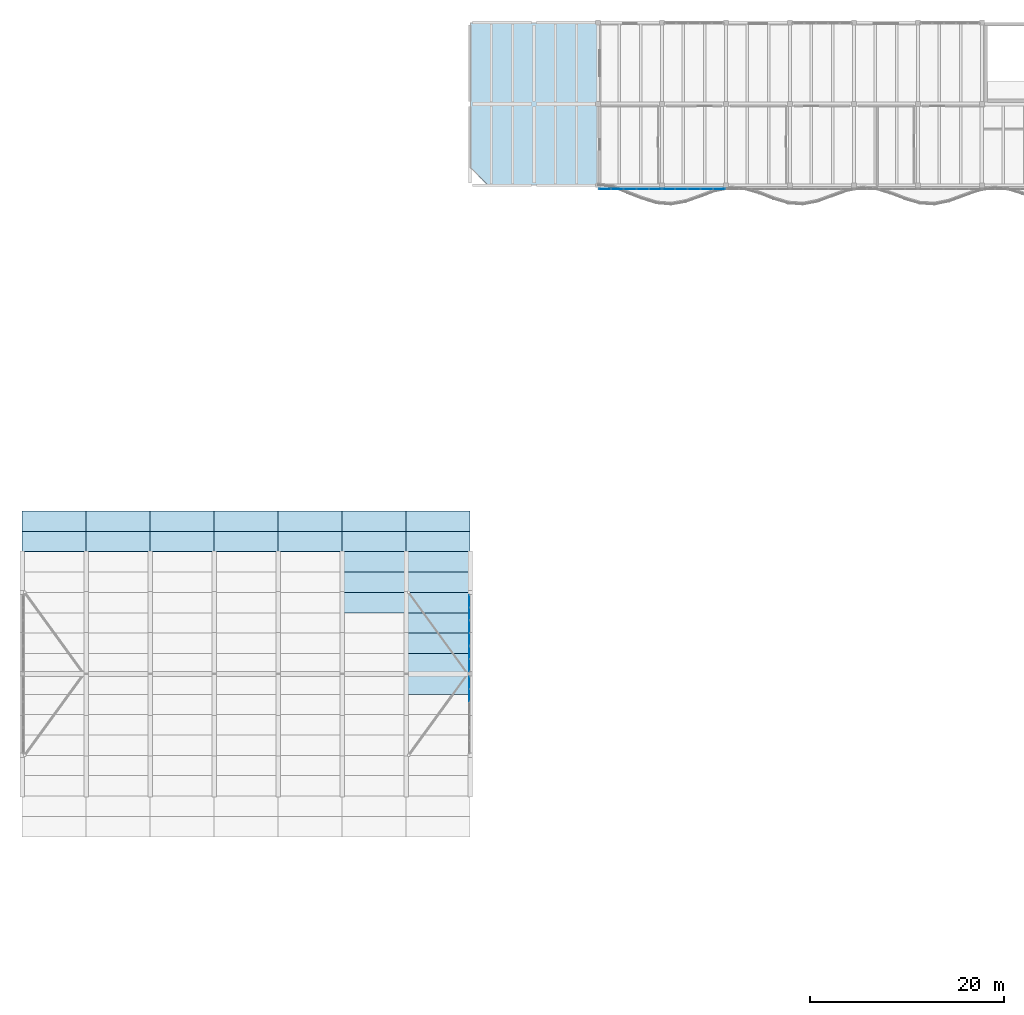
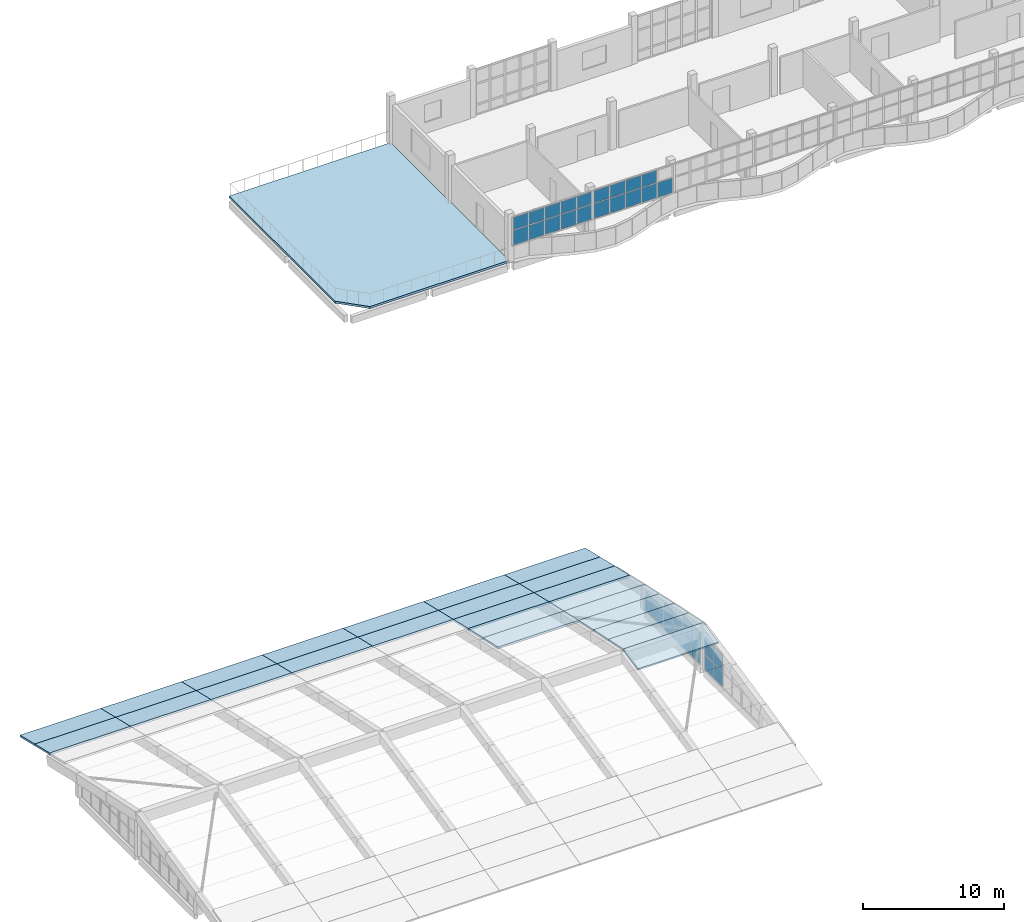
# One storey, part 27 of 47: 35 plates, 25 slabs, 6 elements without a shape of their own.
"""IFC4 building model written with IfcOpenShell, lengths in metres."""

from ifc_helpers import new_model, si_unit, direction, frame, origin, origin_2d, place, context, subcontext, project, spatial, polyline, rectangle, outline, extrude, material, layer, layer_set, type_object, element, aggregate, save


model = new_model("IFC4")

# Units and contexts
model_context = context("Model", 3, precision=1e-05, world=origin(), true_north=direction((0.0, 1.0)))
body_context = subcontext(model_context, "Body", "Model", "MODEL_VIEW")
ifc_project = project(units=[si_unit("LENGTHUNIT", "METRE"), si_unit("AREAUNIT", "SQUARE_METRE"), si_unit("VOLUMEUNIT", "CUBIC_METRE"), si_unit("PLANEANGLEUNIT", "RADIAN"), si_unit("MASSUNIT", "GRAM", prefix="KILO")], contexts=[model_context])

# Site, building, storey
site_placement = place(None, origin())
site = spatial("IfcSite", under=ifc_project, at=site_placement, CompositionType="ELEMENT")
building_placement = place(site_placement, origin())
building = spatial("IfcBuilding", under=site, at=building_placement, Name="Qaldarim Faculty of Natural and Applied Sciences", CompositionType="ELEMENT")
storey_placement = place(building_placement, frame((0.0, 0.0, 22.800048828125)))
storey = spatial("IfcBuildingStorey", under=building, at=storey_placement, Name="L05", CompositionType="ELEMENT", Elevation=22.800048828125)

# Curtain wall, plates
ifc_material_1 = material(Name="Anodised aluminium AW-6063", Category="aluminium")
curtain_wall_type_1 = type_object("IfcCurtainWallType", Name="CurtainWallSystem-M1500", PredefinedType="USERDEFINED", material=ifc_material_1)
curtain_wall_1_placement = place(storey_placement, origin())
curtain_wall_1 = element("IfcCurtainWall", 1, at=curtain_wall_1_placement, inside=storey, type_object=curtain_wall_type_1, Name="Curtain wall CW-GABLE-L05-E-Y06-3", ObjectType="STICK CURTAIN WALL", PredefinedType="USERDEFINED")
ifc_material_2 = material(Name="Champagne anodised aluminium AW-6063", Category="aluminium")
ifc_layer_1 = layer(ifc_material_2, 0.0400390625)
ifc_layer_set_1 = layer_set([ifc_layer_1], Name="Champagne anodised aluminium AW-6063")
plate_type_1 = type_object("IfcPlateType", Name="InsulatedSpandrelPanel-40", PredefinedType="CURTAIN_PANEL", material=ifc_layer_set_1)
plate_1_placement = place(storey_placement, frame((46.1201171875, 48.208740234375, 0.06005859375), z_axis=(0.0, 0.0, 1.0), x_axis=(0.0, 1.0, 0.0)))
plate_1 = element("IfcPlate", 2, at=plate_1_placement, type_object=plate_type_1, Name="Glazed panel 1-1 of CW-GABLE-L05-E-Y06-3", PredefinedType="CURTAIN_PANEL", context=body_context, shape_type="SweptSolid", body=[
    extrude(rectangle(XDim=1.2275390625, YDim=0.0400390625, at=origin_2d()), origin(), (0.0, 0.0, 1.0), 1.260009765625),
])
plate_2_placement = place(storey_placement, frame((46.1201171875, 48.208740234375, 1.3798828125), z_axis=(0.0, 0.0, 1.0), x_axis=(0.0, 1.0, 0.0)))
plate_2 = element("IfcPlate", 3, at=plate_2_placement, type_object=plate_type_1, Name="Glazed panel 1-2 of CW-GABLE-L05-E-Y06-3", PredefinedType="CURTAIN_PANEL", context=body_context, shape_type="SweptSolid", body=[
    extrude(rectangle(XDim=1.2275390625, YDim=0.0400390625, at=origin_2d()), origin(), (0.0, 0.0, 1.0), 1.510009765625),
])
plate_3_placement = place(storey_placement, frame((46.1201171875, 49.496337890625, 0.06005859375), z_axis=(0.0, 0.0, 1.0), x_axis=(0.0, 1.0, 0.0)))
plate_3 = element("IfcPlate", 4, at=plate_3_placement, type_object=plate_type_1, Name="Glazed panel 2-1 of CW-GABLE-L05-E-Y06-3", PredefinedType="CURTAIN_PANEL", context=body_context, shape_type="SweptSolid", body=[
    extrude(rectangle(XDim=1.2275390625, YDim=0.0400390625, at=origin_2d()), origin(), (0.0, 0.0, 1.0), 1.260009765625),
])
plate_4_placement = place(storey_placement, frame((46.1201171875, 49.496337890625, 1.3798828125), z_axis=(0.0, 0.0, 1.0), x_axis=(0.0, 1.0, 0.0)))
plate_4 = element("IfcPlate", 5, at=plate_4_placement, type_object=plate_type_1, Name="Glazed panel 2-2 of CW-GABLE-L05-E-Y06-3", PredefinedType="CURTAIN_PANEL", context=body_context, shape_type="SweptSolid", body=[
    extrude(rectangle(XDim=1.2275390625, YDim=0.0400390625, at=origin_2d()), origin(), (0.0, 0.0, 1.0), 1.510009765625),
])
aggregate(curtain_wall_1, [plate_1, plate_2, plate_3, plate_4])

curtain_wall_2_placement = place(storey_placement, origin())
curtain_wall_2 = element("IfcCurtainWall", 6, at=curtain_wall_2_placement, inside=storey, type_object=curtain_wall_type_1, Name="Curtain wall CW-GABLE-L05-E-Y07-1", ObjectType="STICK CURTAIN WALL", PredefinedType="USERDEFINED")
plate_5_placement = place(storey_placement, frame((46.1201171875, 51.3037109375, 0.06005859375), z_axis=(0.0, 0.0, 1.0), x_axis=(0.0, 1.0, 0.0)))
plate_5 = element("IfcPlate", 7, at=plate_5_placement, type_object=plate_type_1, Name="Glazed panel 1-1 of CW-GABLE-L05-E-Y07-1", PredefinedType="CURTAIN_PANEL", context=body_context, shape_type="SweptSolid", body=[
    extrude(rectangle(XDim=1.2275390625, YDim=0.0400390625, at=origin_2d()), origin(), (0.0, 0.0, 1.0), 1.260009765625),
])
plate_6_placement = place(storey_placement, frame((46.1201171875, 51.3037109375, 1.3798828125), z_axis=(0.0, 0.0, 1.0), x_axis=(0.0, 1.0, 0.0)))
plate_6 = element("IfcPlate", 8, at=plate_6_placement, type_object=plate_type_1, Name="Glazed panel 1-2 of CW-GABLE-L05-E-Y07-1", PredefinedType="CURTAIN_PANEL", context=body_context, shape_type="SweptSolid", body=[
    extrude(rectangle(XDim=1.2275390625, YDim=0.0400390625, at=origin_2d()), origin(), (0.0, 0.0, 1.0), 1.510009765625),
])
plate_7_placement = place(storey_placement, frame((46.1201171875, 52.59130859375, 0.06005859375), z_axis=(0.0, 0.0, 1.0), x_axis=(0.0, 1.0, 0.0)))
plate_7 = element("IfcPlate", 9, at=plate_7_placement, type_object=plate_type_1, Name="Glazed panel 2-1 of CW-GABLE-L05-E-Y07-1", PredefinedType="CURTAIN_PANEL", context=body_context, shape_type="SweptSolid", body=[
    extrude(rectangle(XDim=1.2275390625, YDim=0.0400390625, at=origin_2d()), origin(), (0.0, 0.0, 1.0), 1.260009765625),
])
plate_8_placement = place(storey_placement, frame((46.1201171875, 52.59130859375, 1.3798828125), z_axis=(0.0, 0.0, 1.0), x_axis=(0.0, 1.0, 0.0)))
plate_8 = element("IfcPlate", 10, at=plate_8_placement, type_object=plate_type_1, Name="Glazed panel 2-2 of CW-GABLE-L05-E-Y07-1", PredefinedType="CURTAIN_PANEL", context=body_context, shape_type="SweptSolid", body=[
    extrude(rectangle(XDim=1.2275390625, YDim=0.0400390625, at=origin_2d()), origin(), (0.0, 0.0, 1.0), 1.510009765625),
])
aggregate(curtain_wall_2, [plate_5, plate_6, plate_7, plate_8])

curtain_wall_3_placement = place(storey_placement, origin())
curtain_wall_3 = element("IfcCurtainWall", 11, at=curtain_wall_3_placement, inside=storey, type_object=curtain_wall_type_1, Name="Curtain wall CW-GABLE-L05-E-Y07-2", ObjectType="STICK CURTAIN WALL", PredefinedType="USERDEFINED")
plate_9_placement = place(storey_placement, frame((46.1201171875, 53.958740234375, 0.06005859375), z_axis=(0.0, 0.0, 1.0), x_axis=(0.0, 1.0, 0.0)))
plate_9 = element("IfcPlate", 12, at=plate_9_placement, type_object=plate_type_1, Name="Glazed panel 1-1 of CW-GABLE-L05-E-Y07-2", PredefinedType="CURTAIN_PANEL", context=body_context, shape_type="SweptSolid", body=[
    extrude(rectangle(XDim=1.2275390625, YDim=0.0400390625, at=origin_2d()), origin(), (0.0, 0.0, 1.0), 1.260009765625),
])
plate_10_placement = place(storey_placement, frame((46.1201171875, 53.958740234375, 1.3798828125), z_axis=(0.0, 0.0, 1.0), x_axis=(0.0, 1.0, 0.0)))
plate_10 = element("IfcPlate", 13, at=plate_10_placement, type_object=plate_type_1, Name="Glazed panel 1-2 of CW-GABLE-L05-E-Y07-2", PredefinedType="CURTAIN_PANEL", context=body_context, shape_type="SweptSolid", body=[
    extrude(rectangle(XDim=1.2275390625, YDim=0.0400390625, at=origin_2d()), origin(), (0.0, 0.0, 1.0), 0.9599609375),
])
plate_11_placement = place(storey_placement, frame((46.1201171875, 55.246337890625, 0.06005859375), z_axis=(0.0, 0.0, 1.0), x_axis=(0.0, 1.0, 0.0)))
plate_11 = element("IfcPlate", 14, at=plate_11_placement, type_object=plate_type_1, Name="Glazed panel 2-1 of CW-GABLE-L05-E-Y07-2", PredefinedType="CURTAIN_PANEL", context=body_context, shape_type="SweptSolid", body=[
    extrude(rectangle(XDim=1.2275390625, YDim=0.0400390625, at=origin_2d()), origin(), (0.0, 0.0, 1.0), 1.260009765625),
])
plate_12_placement = place(storey_placement, frame((46.1201171875, 55.246337890625, 1.3798828125), z_axis=(0.0, 0.0, 1.0), x_axis=(0.0, 1.0, 0.0)))
plate_12 = element("IfcPlate", 15, at=plate_12_placement, type_object=plate_type_1, Name="Glazed panel 2-2 of CW-GABLE-L05-E-Y07-2", PredefinedType="CURTAIN_PANEL", context=body_context, shape_type="SweptSolid", body=[
    extrude(rectangle(XDim=1.2275390625, YDim=0.0400390625, at=origin_2d()), origin(), (0.0, 0.0, 1.0), 0.9599609375),
])
aggregate(curtain_wall_3, [plate_9, plate_10, plate_11, plate_12])

curtain_wall_4_placement = place(storey_placement, origin())
curtain_wall_4 = element("IfcCurtainWall", 16, at=curtain_wall_4_placement, inside=storey, type_object=curtain_wall_type_1, Name="Curtain wall CW-GABLE-L05-E-Y07-3", ObjectType="STICK CURTAIN WALL", PredefinedType="USERDEFINED")
plate_13_placement = place(storey_placement, frame((46.1201171875, 56.60888671875, 0.06005859375), z_axis=(0.0, 0.0, 1.0), x_axis=(0.0, 1.0, 0.0)))
plate_13 = element("IfcPlate", 17, at=plate_13_placement, type_object=plate_type_1, Name="Glazed panel 1-1 of CW-GABLE-L05-E-Y07-3", PredefinedType="CURTAIN_PANEL", context=body_context, shape_type="SweptSolid", body=[
    extrude(rectangle(XDim=1.2275390625, YDim=0.0400390625, at=origin_2d()), origin(), (0.0, 0.0, 1.0), 1.260009765625),
])
plate_14_placement = place(storey_placement, frame((46.1201171875, 56.60888671875, 1.3798828125), z_axis=(0.0, 0.0, 1.0), x_axis=(0.0, 1.0, 0.0)))
plate_14 = element("IfcPlate", 18, at=plate_14_placement, type_object=plate_type_1, Name="Glazed panel 1-2 of CW-GABLE-L05-E-Y07-3", PredefinedType="CURTAIN_PANEL", context=body_context, shape_type="SweptSolid", body=[
    extrude(rectangle(XDim=1.2275390625, YDim=0.0400390625, at=origin_2d()), origin(), (0.0, 0.0, 1.0), 0.389892578125),
])
plate_15_placement = place(storey_placement, frame((46.1201171875, 57.896240234375, 0.06005859375), z_axis=(0.0, 0.0, 1.0), x_axis=(0.0, 1.0, 0.0)))
plate_15 = element("IfcPlate", 19, at=plate_15_placement, type_object=plate_type_1, Name="Glazed panel 2-1 of CW-GABLE-L05-E-Y07-3", PredefinedType="CURTAIN_PANEL", context=body_context, shape_type="SweptSolid", body=[
    extrude(rectangle(XDim=1.2275390625, YDim=0.0400390625, at=origin_2d()), origin(), (0.0, 0.0, 1.0), 1.260009765625),
])
plate_16_placement = place(storey_placement, frame((46.1201171875, 57.896240234375, 1.3798828125), z_axis=(0.0, 0.0, 1.0), x_axis=(0.0, 1.0, 0.0)))
plate_16 = element("IfcPlate", 20, at=plate_16_placement, type_object=plate_type_1, Name="Glazed panel 2-2 of CW-GABLE-L05-E-Y07-3", PredefinedType="CURTAIN_PANEL", context=body_context, shape_type="SweptSolid", body=[
    extrude(rectangle(XDim=1.2275390625, YDim=0.0400390625, at=origin_2d()), origin(), (0.0, 0.0, 1.0), 0.389892578125),
])
aggregate(curtain_wall_4, [plate_13, plate_14, plate_15, plate_16])

# Slabs
ifc_material_3 = material(Name="Concrete C40/50", Category="concrete")
ifc_layer_2 = layer(ifc_material_3, 0.159912109375)
ifc_layer_set_2 = layer_set([ifc_layer_2], Name="Concrete C40/50")
slab_type_1 = type_object("IfcSlabType", Name="PointedArchShellStrip-160", PredefinedType="ROOF", material=ifc_layer_set_2)
slab_1_placement = place(storey_placement, frame((0.0, 62.96337890625, 0.984130859375), z_axis=(0.0, 0.229360972314, 0.973341432581), x_axis=(1.0, 0.0, 0.0)))
element("IfcSlab", 21, at=slab_1_placement, inside=storey, type_object=slab_type_1, Name="Pointed-arch shell strip B01-N07", PredefinedType="ROOF", context=body_context, shape_type="SweptSolid", body=[
    extrude(outline(polyline([(0.0, 0.0), (6.60009765625, 0.0), (6.60009765625, 2.1576166244979875), (0.0, 2.1576166244979875), (0.0, 0.0)])), origin(), (0.0, 0.0, 1.0), 0.159912109375),
])
slab_2_placement = place(storey_placement, frame((0.0, 65.062744140625, 0.489501953125), z_axis=(0.0, 0.233881690237, 0.972265064153), x_axis=(1.0, 0.0, 0.0)))
element("IfcSlab", 22, at=slab_2_placement, inside=storey, type_object=slab_type_1, Name="Pointed-arch shell strip B01-N08", PredefinedType="ROOF", context=body_context, shape_type="SweptSolid", body=[
    extrude(outline(polyline([(0.0, 0.0), (6.60009765625, 0.0), (6.60009765625, 2.159754158661587), (0.0, 2.159754158661587), (0.0, 0.0)])), origin(), (0.0, 0.0, 1.0), 0.159912109375),
])
slab_3_placement = place(storey_placement, frame((6.60009765625, 62.96337890625, 0.984130859375), z_axis=(0.0, 0.229360972314, 0.973341432581), x_axis=(1.0, 0.0, 0.0)))
element("IfcSlab", 23, at=slab_3_placement, inside=storey, type_object=slab_type_1, Name="Pointed-arch shell strip B02-N07", PredefinedType="ROOF", context=body_context, shape_type="SweptSolid", body=[
    extrude(outline(polyline([(0.0, 0.0), (6.599853515625, 0.0), (6.599853515625, 2.1576166244979875), (0.0, 2.1576166244979875), (0.0, 0.0)])), origin(), (0.0, 0.0, 1.0), 0.159912109375),
])
slab_4_placement = place(storey_placement, frame((6.60009765625, 65.062744140625, 0.489501953125), z_axis=(0.0, 0.233881690237, 0.972265064153), x_axis=(1.0, 0.0, 0.0)))
element("IfcSlab", 24, at=slab_4_placement, inside=storey, type_object=slab_type_1, Name="Pointed-arch shell strip B02-N08", PredefinedType="ROOF", context=body_context, shape_type="SweptSolid", body=[
    extrude(outline(polyline([(0.0, 0.0), (6.599853515625, 0.0), (6.599853515625, 2.159754158661587), (0.0, 2.159754158661587), (0.0, 0.0)])), origin(), (0.0, 0.0, 1.0), 0.159912109375),
])
slab_5_placement = place(storey_placement, frame((13.199951171875, 62.96337890625, 0.984130859375), z_axis=(0.0, 0.229360972314, 0.973341432581), x_axis=(1.0, 0.0, 0.0)))
element("IfcSlab", 25, at=slab_5_placement, inside=storey, type_object=slab_type_1, Name="Pointed-arch shell strip B03-N07", PredefinedType="ROOF", context=body_context, shape_type="SweptSolid", body=[
    extrude(outline(polyline([(0.0, 0.0), (6.60009765625, 0.0), (6.60009765625, 2.1576166244979875), (0.0, 2.1576166244979875), (0.0, 0.0)])), origin(), (0.0, 0.0, 1.0), 0.159912109375),
])
slab_6_placement = place(storey_placement, frame((13.199951171875, 65.062744140625, 0.489501953125), z_axis=(0.0, 0.233881690237, 0.972265064153), x_axis=(1.0, 0.0, 0.0)))
element("IfcSlab", 26, at=slab_6_placement, inside=storey, type_object=slab_type_1, Name="Pointed-arch shell strip B03-N08", PredefinedType="ROOF", context=body_context, shape_type="SweptSolid", body=[
    extrude(outline(polyline([(0.0, 0.0), (6.60009765625, 0.0), (6.60009765625, 2.159754158661587), (0.0, 2.159754158661587), (0.0, 0.0)])), origin(), (0.0, 0.0, 1.0), 0.159912109375),
])
slab_7_placement = place(storey_placement, frame((19.800048828125, 62.96337890625, 0.984130859375), z_axis=(0.0, 0.229360972314, 0.973341432581), x_axis=(1.0, 0.0, 0.0)))
element("IfcSlab", 27, at=slab_7_placement, inside=storey, type_object=slab_type_1, Name="Pointed-arch shell strip B04-N07", PredefinedType="ROOF", context=body_context, shape_type="SweptSolid", body=[
    extrude(outline(polyline([(0.0, 0.0), (6.599853515625, 0.0), (6.599853515625, 2.1576166244979875), (0.0, 2.1576166244979875), (0.0, 0.0)])), origin(), (0.0, 0.0, 1.0), 0.159912109375),
])
slab_8_placement = place(storey_placement, frame((19.800048828125, 65.062744140625, 0.489501953125), z_axis=(0.0, 0.233881690237, 0.972265064153), x_axis=(1.0, 0.0, 0.0)))
element("IfcSlab", 28, at=slab_8_placement, inside=storey, type_object=slab_type_1, Name="Pointed-arch shell strip B04-N08", PredefinedType="ROOF", context=body_context, shape_type="SweptSolid", body=[
    extrude(outline(polyline([(0.0, 0.0), (6.599853515625, 0.0), (6.599853515625, 2.159754158661587), (0.0, 2.159754158661587), (0.0, 0.0)])), origin(), (0.0, 0.0, 1.0), 0.159912109375),
])
slab_9_placement = place(storey_placement, frame((26.39990234375, 62.96337890625, 0.984130859375), z_axis=(0.0, 0.229360972314, 0.973341432581), x_axis=(1.0, 0.0, 0.0)))
element("IfcSlab", 29, at=slab_9_placement, inside=storey, type_object=slab_type_1, Name="Pointed-arch shell strip B05-N07", PredefinedType="ROOF", context=body_context, shape_type="SweptSolid", body=[
    extrude(outline(polyline([(0.0, 0.0), (6.60009765625, 0.0), (6.60009765625, 2.1576166244979875), (0.0, 2.1576166244979875), (0.0, 0.0)])), origin(), (0.0, 0.0, 1.0), 0.159912109375),
])
slab_10_placement = place(storey_placement, frame((26.39990234375, 65.062744140625, 0.489501953125), z_axis=(0.0, 0.233881690237, 0.972265064153), x_axis=(1.0, 0.0, 0.0)))
element("IfcSlab", 30, at=slab_10_placement, inside=storey, type_object=slab_type_1, Name="Pointed-arch shell strip B05-N08", PredefinedType="ROOF", context=body_context, shape_type="SweptSolid", body=[
    extrude(outline(polyline([(0.0, 0.0), (6.60009765625, 0.0), (6.60009765625, 2.159754158661587), (0.0, 2.159754158661587), (0.0, 0.0)])), origin(), (0.0, 0.0, 1.0), 0.159912109375),
])
slab_11_placement = place(storey_placement, frame((33.0, 56.665283203125, 2.40869140625), z_axis=(0.0, 0.216221346803, 0.976344370182), x_axis=(1.0, 0.0, 0.0)))
element("IfcSlab", 31, at=slab_11_placement, inside=storey, type_object=slab_type_1, Name="Pointed-arch shell strip B06-N04", PredefinedType="ROOF", context=body_context, shape_type="SweptSolid", body=[
    extrude(outline(polyline([(0.0, 0.0), (6.60009765625, 0.0), (6.60009765625, 2.1509804536054613), (0.0, 2.1509804536054613), (0.0, 0.0)])), origin(), (0.0, 0.0, 1.0), 0.159912109375),
])
slab_12_placement = place(storey_placement, frame((33.0, 58.7646484375, 1.94384765625), z_axis=(0.0, 0.220567158628, 0.975371789901), x_axis=(1.0, 0.0, 0.0)))
element("IfcSlab", 32, at=slab_12_placement, inside=storey, type_object=slab_type_1, Name="Pointed-arch shell strip B06-N05", PredefinedType="ROOF", context=body_context, shape_type="SweptSolid", body=[
    extrude(outline(polyline([(0.0, 0.0), (6.60009765625, 0.0), (6.60009765625, 2.152874972771084), (0.0, 2.152874972771084), (0.0, 0.0)])), origin(), (0.0, 0.0, 1.0), 0.159912109375),
])
slab_13_placement = place(storey_placement, frame((33.0, 60.864013671875, 1.468994140625), z_axis=(0.0, 0.225066313755, 0.974343447873), x_axis=(1.0, 0.0, 0.0)))
element("IfcSlab", 33, at=slab_13_placement, inside=storey, type_object=slab_type_1, Name="Pointed-arch shell strip B06-N06", PredefinedType="ROOF", context=body_context, shape_type="SweptSolid", body=[
    extrude(outline(polyline([(0.0, 0.0), (6.60009765625, 0.0), (6.60009765625, 2.155397730476896), (0.0, 2.155397730476896), (0.0, 0.0)])), origin(), (0.0, 0.0, 1.0), 0.159912109375),
])
slab_14_placement = place(storey_placement, frame((33.0, 62.96337890625, 0.984130859375), z_axis=(0.0, 0.229360972314, 0.973341432581), x_axis=(1.0, 0.0, 0.0)))
element("IfcSlab", 34, at=slab_14_placement, inside=storey, type_object=slab_type_1, Name="Pointed-arch shell strip B06-N07", PredefinedType="ROOF", context=body_context, shape_type="SweptSolid", body=[
    extrude(outline(polyline([(0.0, 0.0), (6.60009765625, 0.0), (6.60009765625, 2.1576166244979875), (0.0, 2.1576166244979875), (0.0, 0.0)])), origin(), (0.0, 0.0, 1.0), 0.159912109375),
])
slab_15_placement = place(storey_placement, frame((33.0, 65.062744140625, 0.489501953125), z_axis=(0.0, 0.233881690237, 0.972265064153), x_axis=(1.0, 0.0, 0.0)))
element("IfcSlab", 35, at=slab_15_placement, inside=storey, type_object=slab_type_1, Name="Pointed-arch shell strip B06-N08", PredefinedType="ROOF", context=body_context, shape_type="SweptSolid", body=[
    extrude(outline(polyline([(0.0, 0.0), (6.60009765625, 0.0), (6.60009765625, 2.159754158661587), (0.0, 2.159754158661587), (0.0, 0.0)])), origin(), (0.0, 0.0, 1.0), 0.159912109375),
])
slab_16_placement = place(storey_placement, frame((39.60009765625, 48.33251953125, 3.30810546875), z_axis=(0.0, -0.202876649929, 0.979204301928), x_axis=(1.0, 0.0, 0.0)))
element("IfcSlab", 36, at=slab_16_placement, inside=storey, type_object=slab_type_1, Name="Pointed-arch shell strip B07-S01", PredefinedType="ROOF", context=body_context, shape_type="SweptSolid", body=[
    extrude(outline(polyline([(0.0, 0.0), (6.599853515625, 0.0), (6.599853515625, 2.1444488259406893), (0.0, 2.1444488259406893), (0.0, 0.0)])), origin(), (0.0, 0.0, 1.0), 0.159912109375),
])
slab_17_placement = place(storey_placement, frame((39.60009765625, 50.367431640625, 3.7431640625), z_axis=(0.0, 0.202854035669, 0.979208986995), x_axis=(1.0, 0.0, 0.0)))
element("IfcSlab", 37, at=slab_17_placement, inside=storey, type_object=slab_type_1, Name="Pointed-arch shell strip B07-N01", PredefinedType="ROOF", context=body_context, shape_type="SweptSolid", body=[
    extrude(outline(polyline([(0.0, 0.0), (6.599853515625, 0.0), (6.599853515625, 2.144687890062904), (0.0, 2.144687890062904), (0.0, 0.0)])), origin(), (0.0, 0.0, 1.0), 0.159912109375),
])
slab_18_placement = place(storey_placement, frame((39.60009765625, 52.466796875, 3.308349609375), z_axis=(0.0, 0.207213980764, 0.978295643543), x_axis=(1.0, 0.0, 0.0)))
element("IfcSlab", 38, at=slab_18_placement, inside=storey, type_object=slab_type_1, Name="Pointed-arch shell strip B07-N02", PredefinedType="ROOF", context=body_context, shape_type="SweptSolid", body=[
    extrude(outline(polyline([(0.0, 0.0), (6.599853515625, 0.0), (6.599853515625, 2.1466901852324414), (0.0, 2.1466901852324414), (0.0, 0.0)])), origin(), (0.0, 0.0, 1.0), 0.159912109375),
])
slab_19_placement = place(storey_placement, frame((39.60009765625, 54.566162109375, 2.86376953125), z_axis=(0.0, 0.211802186489, 0.977312556861), x_axis=(1.0, 0.0, 0.0)))
element("IfcSlab", 39, at=slab_19_placement, inside=storey, type_object=slab_type_1, Name="Pointed-arch shell strip B07-N03", PredefinedType="ROOF", context=body_context, shape_type="SweptSolid", body=[
    extrude(outline(polyline([(0.0, 0.0), (6.599853515625, 0.0), (6.599853515625, 2.1485997502876586), (0.0, 2.1485997502876586), (0.0, 0.0)])), origin(), (0.0, 0.0, 1.0), 0.159912109375),
])
slab_20_placement = place(storey_placement, frame((39.60009765625, 56.665283203125, 2.40869140625), z_axis=(0.0, 0.216221346803, 0.976344370182), x_axis=(1.0, 0.0, 0.0)))
element("IfcSlab", 40, at=slab_20_placement, inside=storey, type_object=slab_type_1, Name="Pointed-arch shell strip B07-N04", PredefinedType="ROOF", context=body_context, shape_type="SweptSolid", body=[
    extrude(outline(polyline([(0.0, 0.0), (6.599853515625, 0.0), (6.599853515625, 2.1509804536054613), (0.0, 2.1509804536054613), (0.0, 0.0)])), origin(), (0.0, 0.0, 1.0), 0.159912109375),
])
slab_21_placement = place(storey_placement, frame((39.60009765625, 58.7646484375, 1.94384765625), z_axis=(0.0, 0.220567158628, 0.975371789901), x_axis=(1.0, 0.0, 0.0)))
element("IfcSlab", 41, at=slab_21_placement, inside=storey, type_object=slab_type_1, Name="Pointed-arch shell strip B07-N05", PredefinedType="ROOF", context=body_context, shape_type="SweptSolid", body=[
    extrude(outline(polyline([(0.0, 0.0), (6.599853515625, 0.0), (6.599853515625, 2.152874972771084), (0.0, 2.152874972771084), (0.0, 0.0)])), origin(), (0.0, 0.0, 1.0), 0.159912109375),
])
slab_22_placement = place(storey_placement, frame((39.60009765625, 60.864013671875, 1.468994140625), z_axis=(0.0, 0.225066313755, 0.974343447873), x_axis=(1.0, 0.0, 0.0)))
element("IfcSlab", 42, at=slab_22_placement, inside=storey, type_object=slab_type_1, Name="Pointed-arch shell strip B07-N06", PredefinedType="ROOF", context=body_context, shape_type="SweptSolid", body=[
    extrude(outline(polyline([(0.0, 0.0), (6.599853515625, 0.0), (6.599853515625, 2.155397730476896), (0.0, 2.155397730476896), (0.0, 0.0)])), origin(), (0.0, 0.0, 1.0), 0.159912109375),
])
slab_23_placement = place(storey_placement, frame((39.60009765625, 62.96337890625, 0.984130859375), z_axis=(0.0, 0.229360972314, 0.973341432581), x_axis=(1.0, 0.0, 0.0)))
element("IfcSlab", 43, at=slab_23_placement, inside=storey, type_object=slab_type_1, Name="Pointed-arch shell strip B07-N07", PredefinedType="ROOF", context=body_context, shape_type="SweptSolid", body=[
    extrude(outline(polyline([(0.0, 0.0), (6.599853515625, 0.0), (6.599853515625, 2.1576166244979875), (0.0, 2.1576166244979875), (0.0, 0.0)])), origin(), (0.0, 0.0, 1.0), 0.159912109375),
])
slab_24_placement = place(storey_placement, frame((39.60009765625, 65.062744140625, 0.489501953125), z_axis=(0.0, 0.233881690237, 0.972265064153), x_axis=(1.0, 0.0, 0.0)))
element("IfcSlab", 44, at=slab_24_placement, inside=storey, type_object=slab_type_1, Name="Pointed-arch shell strip B07-N08", PredefinedType="ROOF", context=body_context, shape_type="SweptSolid", body=[
    extrude(outline(polyline([(0.0, 0.0), (6.599853515625, 0.0), (6.599853515625, 2.159754158661587), (0.0, 2.159754158661587), (0.0, 0.0)])), origin(), (0.0, 0.0, 1.0), 0.159912109375),
])
ifc_layer_3 = layer(ifc_material_3, 0.179931640625)
ifc_layer_set_3 = layer_set([ifc_layer_3], Name="Concrete C40/50")
slab_type_2 = type_object("IfcSlabType", Name="TerraceBalconySlab-180", PredefinedType="FLOOR", material=ifc_layer_set_3)
slab_25_placement = place(storey_placement, frame((0.0, 0.0, -0.179931640625)))
element("IfcSlab", 45, at=slab_25_placement, inside=storey, type_object=slab_type_2, Name="Academic outdoor terrace L05 V4-STEP-TERRACE", PredefinedType="FLOOR", context=body_context, shape_type="SweptSolid", body=[
    extrude(outline(polyline([(46.199951171875, 102.60009765625), (48.0, 100.800048828125), (59.39990234375, 100.800048828125), (59.39990234375, 117.60009765625), (46.199951171875, 117.60009765625), (46.199951171875, 102.60009765625)])), origin(), (0.0, 0.0, 1.0), 0.179931640625),
])

# Curtain wall, plates
curtain_wall_type_2 = type_object("IfcCurtainWallType", Name="CurtainWallSystem-M1400", PredefinedType="USERDEFINED", material=ifc_material_1)
curtain_wall_5_placement = place(storey_placement, origin())
curtain_wall_5 = element("IfcCurtainWall", 46, at=curtain_wall_5_placement, inside=storey, type_object=curtain_wall_type_2, Name="Curtain wall CW-V4RIB-L05-X10", ObjectType="STICK CURTAIN WALL", PredefinedType="USERDEFINED")
ifc_material_4 = material(Name="Insulated low-e double glazing", Category="glass")
ifc_layer_4 = layer(ifc_material_4, 0.028076171875)
ifc_layer_set_4 = layer_set([ifc_layer_4], Name="Insulated low-e double glazing")
plate_type_2 = type_object("IfcPlateType", Name="VisionGlazingPanel-28", PredefinedType="CURTAIN_PANEL", material=ifc_layer_set_4)
plate_17_placement = place(storey_placement, frame((60.10693359375, 100.419921875, 1.509765625), z_axis=(0.0, 0.0, 1.0), x_axis=(1.0, 0.0, 0.0)))
plate_17 = element("IfcPlate", 47, at=plate_17_placement, type_object=plate_type_2, Name="Glazed panel 1-1 of CW-V4RIB-L05-X10", PredefinedType="CURTAIN_PANEL", context=body_context, shape_type="SweptSolid", body=[
    extrude(rectangle(XDim=1.214111328125, YDim=0.028076171875, at=origin_2d()), origin(), (0.0, 0.0, 1.0), 1.260009765625),
])
plate_18_placement = place(storey_placement, frame((60.10693359375, 100.419921875, 2.830078125), z_axis=(0.0, 0.0, 1.0), x_axis=(1.0, 0.0, 0.0)))
plate_18 = element("IfcPlate", 48, at=plate_18_placement, type_object=plate_type_2, Name="Glazed panel 1-2 of CW-V4RIB-L05-X10", PredefinedType="CURTAIN_PANEL", context=body_context, shape_type="SweptSolid", body=[
    extrude(rectangle(XDim=1.214111328125, YDim=0.028076171875, at=origin_2d()), origin(), (0.0, 0.0, 1.0), 1.070068359375),
])
plate_19_placement = place(storey_placement, frame((61.39599609375, 100.419921875, 1.509765625), z_axis=(0.0, 0.0, 1.0), x_axis=(1.0, 0.0, 0.0)))
plate_19 = element("IfcPlate", 49, at=plate_19_placement, type_object=plate_type_2, Name="Glazed panel 2-1 of CW-V4RIB-L05-X10", PredefinedType="CURTAIN_PANEL", context=body_context, shape_type="SweptSolid", body=[
    extrude(rectangle(XDim=1.243896484375, YDim=0.028076171875, at=origin_2d()), origin(), (0.0, 0.0, 1.0), 1.260009765625),
])
plate_20_placement = place(storey_placement, frame((61.39599609375, 100.419921875, 2.830078125), z_axis=(0.0, 0.0, 1.0), x_axis=(1.0, 0.0, 0.0)))
plate_20 = element("IfcPlate", 50, at=plate_20_placement, type_object=plate_type_2, Name="Glazed panel 2-2 of CW-V4RIB-L05-X10", PredefinedType="CURTAIN_PANEL", context=body_context, shape_type="SweptSolid", body=[
    extrude(rectangle(XDim=1.243896484375, YDim=0.028076171875, at=origin_2d()), origin(), (0.0, 0.0, 1.0), 1.070068359375),
])
plate_21_placement = place(storey_placement, frame((62.699951171875, 100.419921875, 1.509765625), z_axis=(0.0, 0.0, 1.0), x_axis=(1.0, 0.0, 0.0)))
plate_21 = element("IfcPlate", 51, at=plate_21_placement, type_object=plate_type_2, Name="Glazed panel 3-1 of CW-V4RIB-L05-X10", PredefinedType="CURTAIN_PANEL", context=body_context, shape_type="SweptSolid", body=[
    extrude(rectangle(XDim=1.243896484375, YDim=0.028076171875, at=origin_2d()), origin(), (0.0, 0.0, 1.0), 1.260009765625),
])
plate_22_placement = place(storey_placement, frame((62.699951171875, 100.419921875, 2.830078125), z_axis=(0.0, 0.0, 1.0), x_axis=(1.0, 0.0, 0.0)))
plate_22 = element("IfcPlate", 52, at=plate_22_placement, type_object=plate_type_2, Name="Glazed panel 3-2 of CW-V4RIB-L05-X10", PredefinedType="CURTAIN_PANEL", context=body_context, shape_type="SweptSolid", body=[
    extrude(rectangle(XDim=1.243896484375, YDim=0.028076171875, at=origin_2d()), origin(), (0.0, 0.0, 1.0), 1.070068359375),
])
plate_23_placement = place(storey_placement, frame((64.00390625, 100.419921875, 1.509765625), z_axis=(0.0, 0.0, 1.0), x_axis=(1.0, 0.0, 0.0)))
plate_23 = element("IfcPlate", 53, at=plate_23_placement, type_object=plate_type_2, Name="Glazed panel 4-1 of CW-V4RIB-L05-X10", PredefinedType="CURTAIN_PANEL", context=body_context, shape_type="SweptSolid", body=[
    extrude(rectangle(XDim=1.243896484375, YDim=0.028076171875, at=origin_2d()), origin(), (0.0, 0.0, 1.0), 1.260009765625),
])
plate_24_placement = place(storey_placement, frame((64.00390625, 100.419921875, 2.830078125), z_axis=(0.0, 0.0, 1.0), x_axis=(1.0, 0.0, 0.0)))
plate_24 = element("IfcPlate", 54, at=plate_24_placement, type_object=plate_type_2, Name="Glazed panel 4-2 of CW-V4RIB-L05-X10", PredefinedType="CURTAIN_PANEL", context=body_context, shape_type="SweptSolid", body=[
    extrude(rectangle(XDim=1.243896484375, YDim=0.028076171875, at=origin_2d()), origin(), (0.0, 0.0, 1.0), 1.070068359375),
])
plate_25_placement = place(storey_placement, frame((65.29296875, 100.419921875, 1.509765625), z_axis=(0.0, 0.0, 1.0), x_axis=(1.0, 0.0, 0.0)))
plate_25 = element("IfcPlate", 55, at=plate_25_placement, type_object=plate_type_2, Name="Glazed panel 5-1 of CW-V4RIB-L05-X10", PredefinedType="CURTAIN_PANEL", context=body_context, shape_type="SweptSolid", body=[
    extrude(rectangle(XDim=1.214111328125, YDim=0.028076171875, at=origin_2d()), origin(), (0.0, 0.0, 1.0), 1.260009765625),
])
plate_26_placement = place(storey_placement, frame((65.29296875, 100.419921875, 2.830078125), z_axis=(0.0, 0.0, 1.0), x_axis=(1.0, 0.0, 0.0)))
plate_26 = element("IfcPlate", 56, at=plate_26_placement, type_object=plate_type_2, Name="Glazed panel 5-2 of CW-V4RIB-L05-X10", PredefinedType="CURTAIN_PANEL", context=body_context, shape_type="SweptSolid", body=[
    extrude(rectangle(XDim=1.214111328125, YDim=0.028076171875, at=origin_2d()), origin(), (0.0, 0.0, 1.0), 1.070068359375),
])
aggregate(curtain_wall_5, [plate_17, plate_18, plate_19, plate_20, plate_21, plate_22, plate_23, plate_24, plate_25, plate_26])

curtain_wall_6_placement = place(storey_placement, origin())
curtain_wall_6 = element("IfcCurtainWall", 57, at=curtain_wall_6_placement, inside=storey, type_object=curtain_wall_type_2, Name="Curtain wall CW-V4RIB-L05-X11", ObjectType="STICK CURTAIN WALL", PredefinedType="USERDEFINED")
plate_27_placement = place(storey_placement, frame((66.70703125, 100.419921875, 1.509765625), z_axis=(0.0, 0.0, 1.0), x_axis=(1.0, 0.0, 0.0)))
plate_27 = element("IfcPlate", 58, at=plate_27_placement, type_object=plate_type_2, Name="Glazed panel 1-1 of CW-V4RIB-L05-X11", PredefinedType="CURTAIN_PANEL", context=body_context, shape_type="SweptSolid", body=[
    extrude(rectangle(XDim=1.214111328125, YDim=0.028076171875, at=origin_2d()), origin(), (0.0, 0.0, 1.0), 1.260009765625),
])
plate_28_placement = place(storey_placement, frame((66.70703125, 100.419921875, 2.830078125), z_axis=(0.0, 0.0, 1.0), x_axis=(1.0, 0.0, 0.0)))
plate_28 = element("IfcPlate", 59, at=plate_28_placement, type_object=plate_type_2, Name="Glazed panel 1-2 of CW-V4RIB-L05-X11", PredefinedType="CURTAIN_PANEL", context=body_context, shape_type="SweptSolid", body=[
    extrude(rectangle(XDim=1.214111328125, YDim=0.028076171875, at=origin_2d()), origin(), (0.0, 0.0, 1.0), 1.070068359375),
])
plate_29_placement = place(storey_placement, frame((67.99609375, 100.419921875, 1.509765625), z_axis=(0.0, 0.0, 1.0), x_axis=(1.0, 0.0, 0.0)))
plate_29 = element("IfcPlate", 60, at=plate_29_placement, type_object=plate_type_2, Name="Glazed panel 2-1 of CW-V4RIB-L05-X11", PredefinedType="CURTAIN_PANEL", context=body_context, shape_type="SweptSolid", body=[
    extrude(rectangle(XDim=1.243896484375, YDim=0.028076171875, at=origin_2d()), origin(), (0.0, 0.0, 1.0), 1.260009765625),
])
plate_30_placement = place(storey_placement, frame((67.99609375, 100.419921875, 2.830078125), z_axis=(0.0, 0.0, 1.0), x_axis=(1.0, 0.0, 0.0)))
plate_30 = element("IfcPlate", 61, at=plate_30_placement, type_object=plate_type_2, Name="Glazed panel 2-2 of CW-V4RIB-L05-X11", PredefinedType="CURTAIN_PANEL", context=body_context, shape_type="SweptSolid", body=[
    extrude(rectangle(XDim=1.243896484375, YDim=0.028076171875, at=origin_2d()), origin(), (0.0, 0.0, 1.0), 1.070068359375),
])
plate_31_placement = place(storey_placement, frame((69.300048828125, 100.419921875, 1.509765625), z_axis=(0.0, 0.0, 1.0), x_axis=(1.0, 0.0, 0.0)))
plate_31 = element("IfcPlate", 62, at=plate_31_placement, type_object=plate_type_2, Name="Glazed panel 3-1 of CW-V4RIB-L05-X11", PredefinedType="CURTAIN_PANEL", context=body_context, shape_type="SweptSolid", body=[
    extrude(rectangle(XDim=1.243896484375, YDim=0.028076171875, at=origin_2d()), origin(), (0.0, 0.0, 1.0), 1.260009765625),
])
plate_32_placement = place(storey_placement, frame((69.300048828125, 100.419921875, 2.830078125), z_axis=(0.0, 0.0, 1.0), x_axis=(1.0, 0.0, 0.0)))
plate_32 = element("IfcPlate", 63, at=plate_32_placement, type_object=plate_type_2, Name="Glazed panel 3-2 of CW-V4RIB-L05-X11", PredefinedType="CURTAIN_PANEL", context=body_context, shape_type="SweptSolid", body=[
    extrude(rectangle(XDim=1.243896484375, YDim=0.028076171875, at=origin_2d()), origin(), (0.0, 0.0, 1.0), 1.070068359375),
])
plate_33_placement = place(storey_placement, frame((70.60400390625, 100.419921875, 1.509765625), z_axis=(0.0, 0.0, 1.0), x_axis=(1.0, 0.0, 0.0)))
plate_33 = element("IfcPlate", 64, at=plate_33_placement, type_object=plate_type_2, Name="Glazed panel 4-1 of CW-V4RIB-L05-X11", PredefinedType="CURTAIN_PANEL", context=body_context, shape_type="SweptSolid", body=[
    extrude(rectangle(XDim=1.243896484375, YDim=0.028076171875, at=origin_2d()), origin(), (0.0, 0.0, 1.0), 1.260009765625),
])
plate_34_placement = place(storey_placement, frame((70.60400390625, 100.419921875, 2.830078125), z_axis=(0.0, 0.0, 1.0), x_axis=(1.0, 0.0, 0.0)))
plate_34 = element("IfcPlate", 65, at=plate_34_placement, type_object=plate_type_2, Name="Glazed panel 4-2 of CW-V4RIB-L05-X11", PredefinedType="CURTAIN_PANEL", context=body_context, shape_type="SweptSolid", body=[
    extrude(rectangle(XDim=1.243896484375, YDim=0.028076171875, at=origin_2d()), origin(), (0.0, 0.0, 1.0), 1.070068359375),
])
plate_35_placement = place(storey_placement, frame((71.89306640625, 100.419921875, 1.509765625), z_axis=(0.0, 0.0, 1.0), x_axis=(1.0, 0.0, 0.0)))
plate_35 = element("IfcPlate", 66, at=plate_35_placement, type_object=plate_type_2, Name="Glazed panel 5-1 of CW-V4RIB-L05-X11", PredefinedType="CURTAIN_PANEL", context=body_context, shape_type="SweptSolid", body=[
    extrude(rectangle(XDim=1.214111328125, YDim=0.028076171875, at=origin_2d()), origin(), (0.0, 0.0, 1.0), 1.260009765625),
])
aggregate(curtain_wall_6, [plate_27, plate_28, plate_29, plate_30, plate_31, plate_32, plate_33, plate_34, plate_35])

save(model, "model.ifc")
